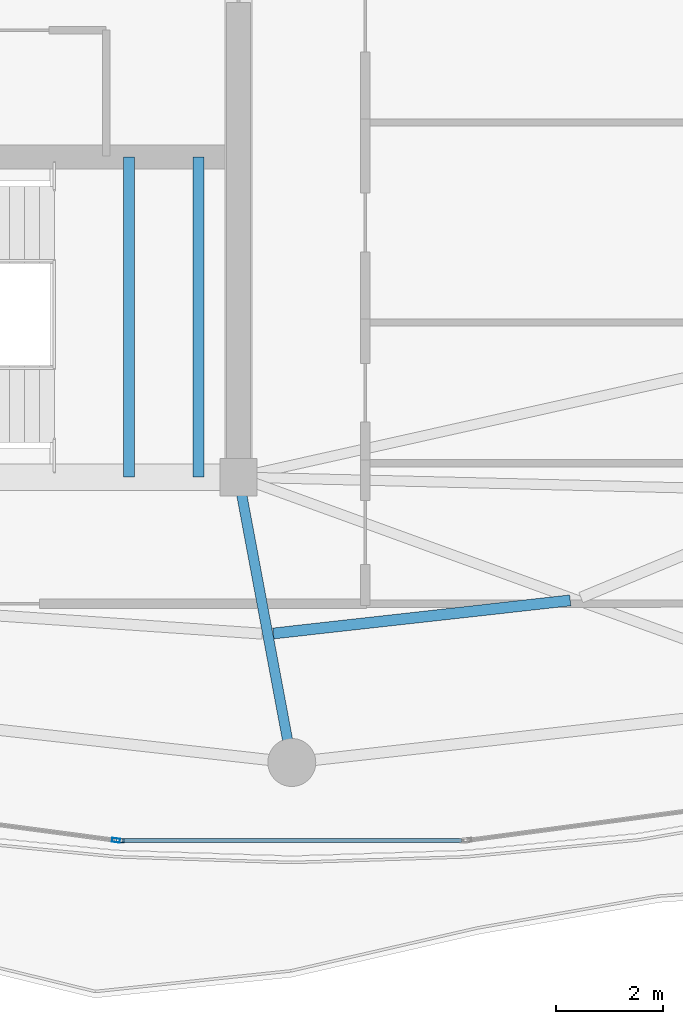
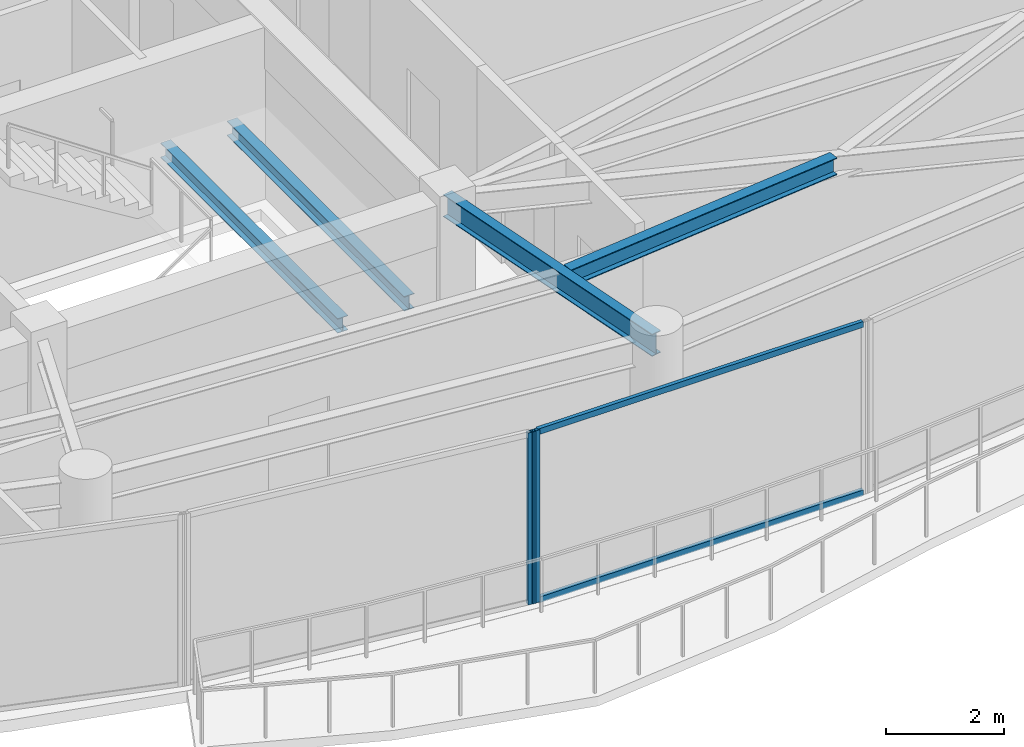
# One storey, part 7 of 29: 4 beams, 4 members, 2 elements without a shape of their own.
"""IFC4 building model written with IfcOpenShell, lengths in metres."""

from ifc_helpers import new_model, si_unit, direction, frame, origin, origin_2d, place, context, subcontext, project, spatial, hollow_rectangle, i_section, extrude, material, layer, layer_set, material_profile, profile_set, type_object, element, aggregate, save


model = new_model("IFC4")

# Units and contexts
model_context = context("Model", 3, precision=1e-05, world=origin(), true_north=direction((0.0, 1.0)))
body_context = subcontext(model_context, "Body", "Model", "MODEL_VIEW")
ifc_project = project(units=[si_unit("LENGTHUNIT", "METRE"), si_unit("AREAUNIT", "SQUARE_METRE"), si_unit("VOLUMEUNIT", "CUBIC_METRE"), si_unit("PLANEANGLEUNIT", "RADIAN"), si_unit("MASSUNIT", "GRAM", prefix="KILO")], contexts=[model_context])

# Site, building, storey
site_placement = place(None, origin())
site = spatial("IfcSite", under=ifc_project, at=site_placement, CompositionType="ELEMENT")
building_placement = place(site_placement, origin())
building = spatial("IfcBuilding", under=site, at=building_placement, Name="Kazevale Care Tower and Concert Hall", CompositionType="ELEMENT")
storey_placement = place(building_placement, frame((0.0, 0.0, 285.199951171875)))
storey = spatial("IfcBuildingStorey", under=building, at=storey_placement, Name="L75", CompositionType="ELEMENT", Elevation=285.199951171875)

# Curtain wall, member
ifc_material_1 = material(Name="Aluminium 6063-T6 and Low-E Glass", Category="aluminium")
ifc_layer = layer(ifc_material_1, 0.179931640625)
ifc_layer_set = layer_set([ifc_layer], Name="Aluminium 6063-T6 and Low-E Glass")
curtain_wall_type = type_object("IfcCurtainWallType", Name="Sheltered Concave Balcony Curtain Wall CW-5", PredefinedType="NOTDEFINED", material=ifc_layer_set)
curtain_wall_1_placement = place(storey_placement, origin())
curtain_wall_1 = element("IfcCurtainWall", 1, at=curtain_wall_1_placement, inside=storey, type_object=curtain_wall_type, Name="cw:L75:f06", PredefinedType="NOTDEFINED")
ifc_material_2 = material(Name="Aluminium 6063-T6", Category="aluminium")
ifc_material_profile_1 = material_profile(ifc_material_2, hollow_rectangle(XDim=0.074951171875, YDim=0.14990234375, WallThickness=0.00390625, at=origin_2d()), Name="ALU75x150x4")
ifc_profile_set_1 = profile_set([ifc_material_profile_1], Name="Aluminium 6063-T6")
member_type_1 = type_object("IfcMemberType", Name="CW-5 Mullion ALU75x150x4", PredefinedType="MULLION", material=ifc_profile_set_1)
member_1_placement = place(storey_placement, frame((41.779541015625, 16.784912109375, 0.0), z_axis=(0.0, 0.0, 1.0), x_axis=(0.0, -1.0, 0.0)))
member_1 = element("IfcMember", 2, at=member_1_placement, type_object=member_type_1, Name="CW-5 mullion 2", PredefinedType="MULLION", context=body_context, shape_type="SweptSolid", body=[
    extrude(hollow_rectangle(XDim=0.074951171875, YDim=0.14990234375, WallThickness=0.00390625, at=origin_2d()), origin(), (0.0, 0.0, 1.0), 3.56005859375),
])

curtain_wall_2_placement = place(storey_placement, origin())
curtain_wall_2 = element("IfcCurtainWall", 3, at=curtain_wall_2_placement, inside=storey, type_object=curtain_wall_type, Name="cw:L75:f07", PredefinedType="NOTDEFINED")
member_2_placement = place(storey_placement, frame((41.704833984375, 16.7900390625, 0.0), z_axis=(0.0, 0.0, 1.0), x_axis=(-0.132542069018, -0.991177380664, 0.0)))
member_2 = element("IfcMember", 4, at=member_2_placement, type_object=member_type_1, Name="CW-5 mullion 1", PredefinedType="MULLION", context=body_context, shape_type="SweptSolid", body=[
    extrude(hollow_rectangle(XDim=0.074951171875, YDim=0.14990234375, WallThickness=0.00390625, at=origin_2d()), origin(), (0.0, 0.0, 1.0), 3.56005859375),
])
aggregate(curtain_wall_2, [member_2])

# Member
ifc_material_profile_2 = material_profile(ifc_material_2, hollow_rectangle(XDim=0.074951171875, YDim=0.1201171875, WallThickness=0.00390625, at=origin_2d()), Name="ALU75x120x4")
ifc_profile_set_2 = profile_set([ifc_material_profile_2], Name="Aluminium 6063-T6")
member_type_2 = type_object("IfcMemberType", Name="CW-5 Transom ALU75x120x4", PredefinedType="USERDEFINED", material=ifc_profile_set_2)
member_3_placement = place(storey_placement, frame((48.18310546875, 16.784912109375, 0.03759765625), z_axis=(-1.0, 0.0, 0.0), x_axis=(0.0, -1.0, 0.0)))
member_3 = element("IfcMember", 5, at=member_3_placement, type_object=member_type_2, Name="CW-5 transom 1.1", ObjectType="TRANSOM", PredefinedType="USERDEFINED", context=body_context, shape_type="SweptSolid", body=[
    extrude(hollow_rectangle(XDim=0.074951171875, YDim=0.1201171875, WallThickness=0.00390625, at=origin_2d()), origin(), (0.0, 0.0, 1.0), 6.3662109375),
])

member_4_placement = place(storey_placement, frame((48.18310546875, 16.784912109375, 3.5224609375), z_axis=(-1.0, 0.0, 0.0), x_axis=(0.0, -1.0, 0.0)))
member_4 = element("IfcMember", 6, at=member_4_placement, type_object=member_type_2, Name="CW-5 transom 1.2", ObjectType="TRANSOM", PredefinedType="USERDEFINED", context=body_context, shape_type="SweptSolid", body=[
    extrude(hollow_rectangle(XDim=0.074951171875, YDim=0.1201171875, WallThickness=0.00390625, at=origin_2d()), origin(), (0.0, 0.0, 1.0), 6.3662109375),
])

aggregate(curtain_wall_1, [member_1, member_3, member_4])

# Beams
ifc_material_3 = material(Name="Steel ASTM A572 Gr 50", Category="steel")
ifc_material_profile_3 = material_profile(ifc_material_3, i_section(OverallWidth=0.19091796875, OverallDepth=0.4599609375, WebThickness=0.010009765625, FlangeThickness=0.01611328125, at=origin_2d()), Name="W460x82")
ifc_profile_set_3 = profile_set([ifc_material_profile_3], Name="Steel ASTM A572 Gr 50")
beam_type_1 = type_object("IfcBeamType", Name="Radial Floor Beam W460x82", PredefinedType="BEAM", material=ifc_profile_set_3)
beam_1_placement = place(storey_placement, frame((44.0, 23.60009765625, 3.330078125), z_axis=(0.183730597003, -0.982976636408, 0.0), x_axis=(0.982976636408, 0.183730597003, 0.0)))
element("IfcBeam", 7, at=beam_1_placement, inside=storey, type_object=beam_type_1, Name="beam:L75:rad:13", PredefinedType="BEAM", context=body_context, shape_type="SweptSolid", body=[
    extrude(i_section(OverallWidth=0.19091796875, OverallDepth=0.4599609375, WebThickness=0.010009765625, FlangeThickness=0.01611328125, at=origin_2d()), origin(), (0.0, 0.0, 1.0), 5.44287109375),
])
ifc_material_profile_4 = material_profile(ifc_material_3, i_section(OverallWidth=0.205078125, OverallDepth=0.35400390625, WebThickness=0.009521484375, FlangeThickness=0.016845703125, at=origin_2d()), Name="W360x79")
ifc_profile_set_4 = profile_set([ifc_material_profile_4], Name="Steel ASTM A572 Gr 50")
beam_type_2 = type_object("IfcBeamType", Name="Secondary Floor Joist W360x79", PredefinedType="JOIST", material=ifc_profile_set_4)
beam_2_placement = place(storey_placement, frame((44.654052734375, 20.6689453125, 3.383056640625), z_axis=(0.99385286667, 0.110708985236, 0.0), x_axis=(-0.110708985236, 0.99385286667, 0.0)))
element("IfcBeam", 8, at=beam_2_placement, inside=storey, type_object=beam_type_2, Name="beam:L75:joist:13", PredefinedType="JOIST", context=body_context, shape_type="SweptSolid", body=[
    extrude(i_section(OverallWidth=0.205078125, OverallDepth=0.35400390625, WebThickness=0.009521484375, FlangeThickness=0.016845703125, at=origin_2d()), origin(), (0.0, 0.0, 1.0), 5.601318359375),
])
ifc_material_profile_5 = material_profile(ifc_material_3, i_section(OverallWidth=0.202880859375, OverallDepth=0.302978515625, WebThickness=0.007568359375, FlangeThickness=0.01318359375, at=origin_2d()), Name="W310x60")
ifc_profile_set_5 = profile_set([ifc_material_profile_5], Name="Steel ASTM A572 Gr 50")
beam_type_3 = type_object("IfcBeamType", Name="Stair & Balcony Trimmer W310x60", PredefinedType="BEAM", material=ifc_profile_set_5)
for number, where, z_axis, x_axis, name in (
    (9, (41.949951171875, 23.60009765625, 1.548583984375), (0.0, 1.0, 0.0), (-1.0, 0.0, 0.0), "beam:L75:sttrim:ST2"),
    (10, (43.25, 23.60009765625, 1.548583984375), (0.0, 1.0, 0.0), (-1.0, 0.0, 0.0), "beam:L75:sttrim:ST2b"),
):
    element("IfcBeam", number, at=place(storey_placement, frame(where, z_axis=z_axis, x_axis=x_axis)), inside=storey, type_object=beam_type_3, Name=name, PredefinedType="BEAM", context=body_context, shape_type="SweptSolid", body=[
        extrude(i_section(OverallWidth=0.202880859375, OverallDepth=0.302978515625, WebThickness=0.007568359375, FlangeThickness=0.01318359375, at=origin_2d()), origin(), (0.0, 0.0, 1.0), 6.0),
    ])

save(model, "model.ifc")
